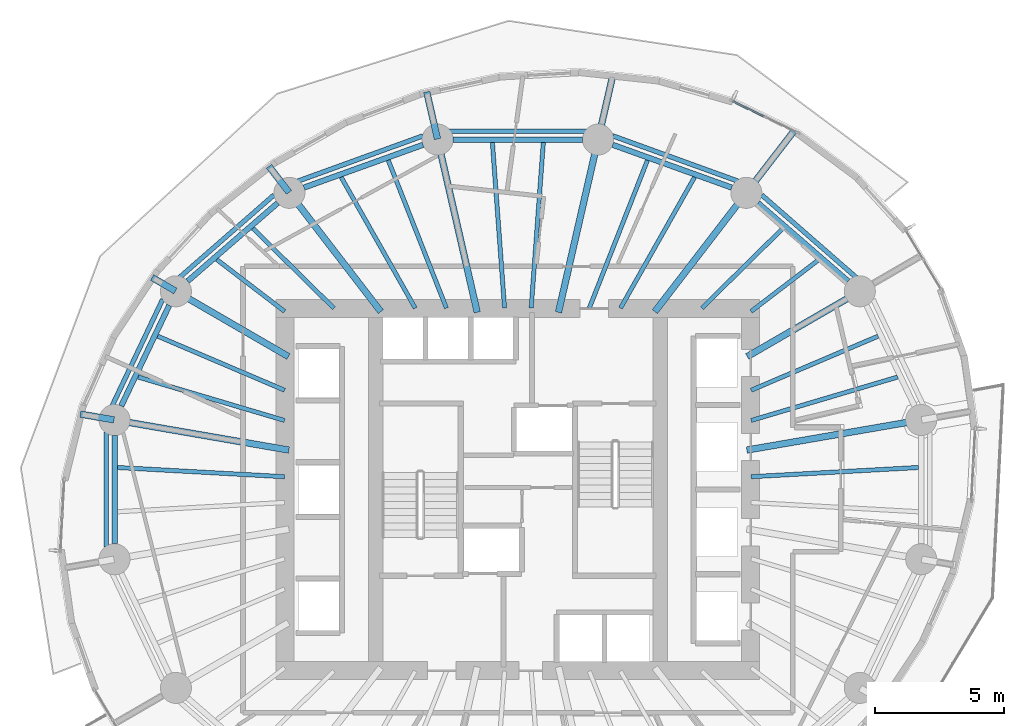
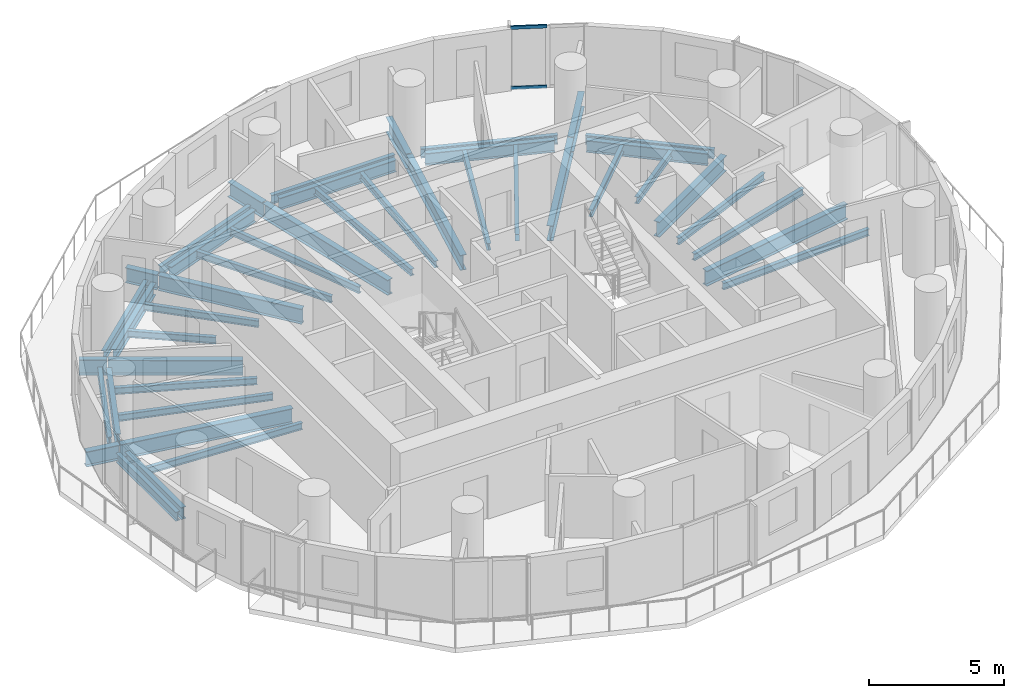
# One storey, part 4 of 15: 44 beams, 2 members, 1 element without a shape of its own.
"""IFC4 building model written with IfcOpenShell, lengths in metres."""

from ifc_helpers import new_model, si_unit, direction, frame, origin, origin_2d, place, context, subcontext, project, spatial, rectangle, i_section, extrude, material, material_profile, profile_set, type_object, element, aggregate, save


model = new_model("IFC4")

# Units and contexts
model_context = context("Model", 3, precision=1e-05, world=origin(), true_north=direction((0.0, 1.0)))
body_context = subcontext(model_context, "Body", "Model", "MODEL_VIEW")
ifc_project = project(units=[si_unit("LENGTHUNIT", "METRE"), si_unit("AREAUNIT", "SQUARE_METRE"), si_unit("VOLUMEUNIT", "CUBIC_METRE"), si_unit("PLANEANGLEUNIT", "RADIAN"), si_unit("MASSUNIT", "GRAM", prefix="KILO")], contexts=[model_context])

# Site, building, storey
site_placement = place(None, origin())
site = spatial("IfcSite", under=ifc_project, at=site_placement, CompositionType="ELEMENT")
building_placement = place(site_placement, origin())
building = spatial("IfcBuilding", under=site, at=building_placement, Name="Veldorim Arch Residences", CompositionType="ELEMENT")
storey_placement = place(building_placement, frame((0.0, 0.0, 109.280029296875)))
storey = spatial("IfcBuildingStorey", under=building, at=storey_placement, Name="L32", CompositionType="ELEMENT", Elevation=109.280029296875)

# Beams
ifc_material_1 = material(Name="Steel S355", Category="steel")
ifc_material_profile_1 = material_profile(ifc_material_1, i_section(OverallWidth=0.2119140625, OverallDepth=0.54443359375, WebThickness=0.0126953125, FlangeThickness=0.021240234375, at=origin_2d()), Name="UB533x210x122")
ifc_profile_set_1 = profile_set([ifc_material_profile_1], Name="Steel S355")
beam_type_1 = type_object("IfcBeamType", Name="Structural Steel Beam UB533x210x122", PredefinedType="BEAM", material=ifc_profile_set_1)
beam_1_placement = place(storey_placement, frame((44.767333984375, 32.060302734375, -0.51220703125), z_axis=(-0.755244952556, 0.655442645576, 0.0), x_axis=(-0.655442645576, -0.755244952556, 0.0)))
element("IfcBeam", 1, at=beam_1_placement, inside=storey, type_object=beam_type_1, Name="L32 perimeter ring tie beam 02", PredefinedType="BEAM", context=body_context, shape_type="SweptSolid", body=[
    extrude(i_section(OverallWidth=0.2119140625, OverallDepth=0.54443359375, WebThickness=0.0126953125, FlangeThickness=0.021240234375, at=origin_2d()), origin(), (0.0, 0.0, 1.0), 4.608642578125),
])
beam_2_placement = place(storey_placement, frame((40.26904296875, 35.67724609375, -0.51220703125), z_axis=(-0.941041944493, 0.338289903343, 0.0), x_axis=(-0.338289903343, -0.941041944493, 0.0)))
element("IfcBeam", 2, at=beam_2_placement, inside=storey, type_object=beam_type_1, Name="L32 perimeter ring tie beam 03", PredefinedType="BEAM", context=body_context, shape_type="SweptSolid", body=[
    extrude(i_section(OverallWidth=0.2119140625, OverallDepth=0.54443359375, WebThickness=0.0126953125, FlangeThickness=0.021240234375, at=origin_2d()), origin(), (0.0, 0.0, 1.0), 4.890869140625),
])
beam_3_placement = place(storey_placement, frame((34.501953125, 37.534912109375, -0.51220703125), z_axis=(-1.0, 0.0, 0.0), x_axis=(0.0, -1.0, 0.0)))
element("IfcBeam", 3, at=beam_3_placement, inside=storey, type_object=beam_type_1, Name="L32 perimeter ring tie beam 04", PredefinedType="BEAM", context=body_context, shape_type="SweptSolid", body=[
    extrude(i_section(OverallWidth=0.2119140625, OverallDepth=0.54443359375, WebThickness=0.0126953125, FlangeThickness=0.021240234375, at=origin_2d()), origin(), (0.0, 0.0, 1.0), 5.00390625),
])
beam_4_placement = place(storey_placement, frame((28.33349609375, 37.331787109375, -0.51220703125), z_axis=(-0.941041944493, -0.338289903343, 0.0), x_axis=(0.338289903343, -0.941041944493, 0.0)))
element("IfcBeam", 4, at=beam_4_placement, inside=storey, type_object=beam_type_1, Name="L32 perimeter ring tie beam 05", PredefinedType="BEAM", context=body_context, shape_type="SweptSolid", body=[
    extrude(i_section(OverallWidth=0.2119140625, OverallDepth=0.54443359375, WebThickness=0.0126953125, FlangeThickness=0.021240234375, at=origin_2d()), origin(), (0.0, 0.0, 1.0), 4.890869140625),
])
beam_5_placement = place(storey_placement, frame((22.71337890625, 35.0810546875, -0.51220703125), z_axis=(-0.755244952556, -0.655442645576, 0.0), x_axis=(0.655442645576, -0.755244952556, 0.0)))
element("IfcBeam", 5, at=beam_5_placement, inside=storey, type_object=beam_type_1, Name="L32 perimeter ring tie beam 06", PredefinedType="BEAM", context=body_context, shape_type="SweptSolid", body=[
    extrude(i_section(OverallWidth=0.2119140625, OverallDepth=0.54443359375, WebThickness=0.0126953125, FlangeThickness=0.021240234375, at=origin_2d()), origin(), (0.0, 0.0, 1.0), 4.608642578125),
])
beam_6_placement = place(storey_placement, frame((18.521240234375, 31.12548828125, -0.51220703125), z_axis=(-0.430720154476, -0.902485539235, 0.0), x_axis=(0.902485539235, -0.430720154476, 0.0)))
element("IfcBeam", 6, at=beam_6_placement, inside=storey, type_object=beam_type_1, Name="L32 perimeter ring tie beam 07", PredefinedType="BEAM", context=body_context, shape_type="SweptSolid", body=[
    extrude(i_section(OverallWidth=0.2119140625, OverallDepth=0.54443359375, WebThickness=0.0126953125, FlangeThickness=0.021240234375, at=origin_2d()), origin(), (0.0, 0.0, 1.0), 4.312255859375),
])
beam_7_placement = place(storey_placement, frame((16.405517578125, 26.09228515625, -0.51220703125), z_axis=(0.0, -1.0, 0.0), x_axis=(1.0, 0.0, 0.0)))
element("IfcBeam", 7, at=beam_7_placement, inside=storey, type_object=beam_type_1, Name="L32 perimeter ring tie beam 08", PredefinedType="BEAM", context=body_context, shape_type="SweptSolid", body=[
    extrude(i_section(OverallWidth=0.2119140625, OverallDepth=0.54443359375, WebThickness=0.0126953125, FlangeThickness=0.021240234375, at=origin_2d()), origin(), (0.0, 0.0, 1.0), 4.1845703125),
])
ifc_material_2 = material(Name="Steel S355", Category="steel")
ifc_material_profile_2 = material_profile(ifc_material_2, i_section(OverallWidth=0.25439453125, OverallDepth=0.6875, WebThickness=0.01318359375, FlangeThickness=0.02099609375, at=origin_2d()), Name="UB686x254x152")
ifc_profile_set_2 = profile_set([ifc_material_profile_2], Name="Steel S355")
beam_type_2 = type_object("IfcBeamType", Name="Structural Steel GIRDER UB686x254x152", PredefinedType="USERDEFINED", material=ifc_profile_set_2)
beam_8_placement = place(storey_placement, frame((40.852294921875, 25.5283203125, -0.583740234375), z_axis=(0.985426622718, 0.17010106184, 0.0), x_axis=(-0.17010106184, 0.985426622718, 0.0)))
element("IfcBeam", 8, at=beam_8_placement, inside=storey, type_object=beam_type_2, Name="L32 radial floor girder 01", ObjectType="GIRDER", PredefinedType="USERDEFINED", context=body_context, shape_type="SweptSolid", body=[
    extrude(i_section(OverallWidth=0.25439453125, OverallDepth=0.6875, WebThickness=0.01318359375, FlangeThickness=0.02099609375, at=origin_2d()), origin(), (0.0, 0.0, 1.0), 6.82177734375),
])
beam_9_placement = place(storey_placement, frame((40.8701171875, 29.14404296875, -0.583740234375), z_axis=(0.865048957682, 0.501687453314, 0.0), x_axis=(-0.501687453314, 0.865048957682, 0.0)))
element("IfcBeam", 9, at=beam_9_placement, inside=storey, type_object=beam_type_2, Name="L32 radial floor girder 02", ObjectType="GIRDER", PredefinedType="USERDEFINED", context=body_context, shape_type="SweptSolid", body=[
    extrude(i_section(OverallWidth=0.25439453125, OverallDepth=0.6875, WebThickness=0.01318359375, FlangeThickness=0.02099609375, at=origin_2d()), origin(), (0.0, 0.0, 1.0), 5.009033203125),
])
beam_10_placement = place(storey_placement, frame((37.297607421875, 30.881103515625, -0.583740234375), z_axis=(0.609994628196, 0.792405548676, 0.0), x_axis=(-0.792405548676, 0.609994628196, 0.0)))
element("IfcBeam", 10, at=beam_10_placement, inside=storey, type_object=beam_type_2, Name="L32 radial floor girder 03", ObjectType="GIRDER", PredefinedType="USERDEFINED", context=body_context, shape_type="SweptSolid", body=[
    extrude(i_section(OverallWidth=0.25439453125, OverallDepth=0.6875, WebThickness=0.01318359375, FlangeThickness=0.02099609375, at=origin_2d()), origin(), (0.0, 0.0, 1.0), 5.776611328125),
])
beam_11_placement = place(storey_placement, frame((40.845703125, 35.489990234375, -0.583740234375), z_axis=(0.610006503027, 0.792396407277, 0.0), x_axis=(-0.792396407277, 0.610006503027, 0.0)))
element("IfcBeam", 11, at=beam_11_placement, inside=storey, type_object=beam_type_2, Name="L32 radial edge cantilever girder 03", ObjectType="GIRDER", PredefinedType="USERDEFINED", context=body_context, shape_type="SweptSolid", body=[
    extrude(i_section(OverallWidth=0.25439453125, OverallDepth=0.6875, WebThickness=0.01318359375, FlangeThickness=0.02099609375, at=origin_2d()), origin(), (0.0, 0.0, 1.0), 2.99169921875),
])
beam_12_placement = place(storey_placement, frame((33.57080078125, 30.853759765625, -0.583740234375), z_axis=(0.223374742148, 0.97473264261, 0.0), x_axis=(-0.97473264261, 0.223374742148, 0.0)))
element("IfcBeam", 12, at=beam_12_placement, inside=storey, type_object=beam_type_2, Name="L32 radial floor girder 04", ObjectType="GIRDER", PredefinedType="USERDEFINED", context=body_context, shape_type="SweptSolid", body=[
    extrude(i_section(OverallWidth=0.25439453125, OverallDepth=0.6875, WebThickness=0.01318359375, FlangeThickness=0.02099609375, at=origin_2d()), origin(), (0.0, 0.0, 1.0), 6.834228515625),
])
beam_13_placement = place(storey_placement, frame((35.1064453125, 37.55419921875, -0.583740234375), z_axis=(0.223351330049, 0.974738007552, 0.0), x_axis=(-0.974738007552, 0.223351330049, 0.0)))
element("IfcBeam", 13, at=beam_13_placement, inside=storey, type_object=beam_type_2, Name="L32 radial edge cantilever girder 04", ObjectType="GIRDER", PredefinedType="USERDEFINED", context=body_context, shape_type="SweptSolid", body=[
    extrude(i_section(OverallWidth=0.25439453125, OverallDepth=0.6875, WebThickness=0.01318359375, FlangeThickness=0.02099609375, at=origin_2d()), origin(), (0.0, 0.0, 1.0), 2.530517578125),
])
beam_14_placement = place(storey_placement, frame((30.42919921875, 30.853759765625, -0.583740234375), z_axis=(-0.223374742148, 0.97473264261, 0.0), x_axis=(-0.97473264261, -0.223374742148, 0.0)))
element("IfcBeam", 14, at=beam_14_placement, inside=storey, type_object=beam_type_2, Name="L32 radial floor girder 05", ObjectType="GIRDER", PredefinedType="USERDEFINED", context=body_context, shape_type="SweptSolid", body=[
    extrude(i_section(OverallWidth=0.25439453125, OverallDepth=0.6875, WebThickness=0.01318359375, FlangeThickness=0.02099609375, at=origin_2d()), origin(), (0.0, 0.0, 1.0), 6.834228515625),
])
beam_15_placement = place(storey_placement, frame((28.8935546875, 37.55419921875, -0.583740234375), z_axis=(-0.22332180692, 0.974744772007, 0.0), x_axis=(-0.974744772007, -0.22332180692, 0.0)))
element("IfcBeam", 15, at=beam_15_placement, inside=storey, type_object=beam_type_2, Name="L32 radial edge cantilever girder 05", ObjectType="GIRDER", PredefinedType="USERDEFINED", context=body_context, shape_type="SweptSolid", body=[
    extrude(i_section(OverallWidth=0.25439453125, OverallDepth=0.6875, WebThickness=0.01318359375, FlangeThickness=0.02099609375, at=origin_2d()), origin(), (0.0, 0.0, 1.0), 1.8671875),
])
beam_16_placement = place(storey_placement, frame((26.702392578125, 30.881103515625, -0.583740234375), z_axis=(-0.609994628196, 0.792405548676, 0.0), x_axis=(-0.792405548676, -0.609994628196, 0.0)))
element("IfcBeam", 16, at=beam_16_placement, inside=storey, type_object=beam_type_2, Name="L32 radial floor girder 06", ObjectType="GIRDER", PredefinedType="USERDEFINED", context=body_context, shape_type="SweptSolid", body=[
    extrude(i_section(OverallWidth=0.25439453125, OverallDepth=0.6875, WebThickness=0.01318359375, FlangeThickness=0.02099609375, at=origin_2d()), origin(), (0.0, 0.0, 1.0), 5.776611328125),
])
beam_17_placement = place(storey_placement, frame((23.154296875, 35.489990234375, -0.583740234375), z_axis=(-0.610026114637, 0.792381309384, 0.0), x_axis=(-0.792381309384, -0.610026114637, 0.0)))
element("IfcBeam", 17, at=beam_17_placement, inside=storey, type_object=beam_type_2, Name="L32 radial edge cantilever girder 06", ObjectType="GIRDER", PredefinedType="USERDEFINED", context=body_context, shape_type="SweptSolid", body=[
    extrude(i_section(OverallWidth=0.25439453125, OverallDepth=0.6875, WebThickness=0.01318359375, FlangeThickness=0.02099609375, at=origin_2d()), origin(), (0.0, 0.0, 1.0), 1.27197265625),
])
beam_18_placement = place(storey_placement, frame((23.1298828125, 29.14404296875, -0.583740234375), z_axis=(-0.865048957682, 0.501687453314, 0.0), x_axis=(-0.501687453314, -0.865048957682, 0.0)))
element("IfcBeam", 18, at=beam_18_placement, inside=storey, type_object=beam_type_2, Name="L32 radial floor girder 07", ObjectType="GIRDER", PredefinedType="USERDEFINED", context=body_context, shape_type="SweptSolid", body=[
    extrude(i_section(OverallWidth=0.25439453125, OverallDepth=0.6875, WebThickness=0.01318359375, FlangeThickness=0.02099609375, at=origin_2d()), origin(), (0.0, 0.0, 1.0), 5.009033203125),
])
beam_19_placement = place(storey_placement, frame((18.76220703125, 31.677001953125, -0.583740234375), z_axis=(-0.865063622803, 0.501662165708, 0.0), x_axis=(-0.501662165708, -0.865063622803, 0.0)))
element("IfcBeam", 19, at=beam_19_placement, inside=storey, type_object=beam_type_2, Name="L32 radial edge cantilever girder 07", ObjectType="GIRDER", PredefinedType="USERDEFINED", context=body_context, shape_type="SweptSolid", body=[
    extrude(i_section(OverallWidth=0.25439453125, OverallDepth=0.6875, WebThickness=0.01318359375, FlangeThickness=0.02099609375, at=origin_2d()), origin(), (0.0, 0.0, 1.0), 1.04541015625),
])
beam_20_placement = place(storey_placement, frame((23.147705078125, 25.5283203125, -0.583740234375), z_axis=(-0.985426622718, 0.17010106184, 0.0), x_axis=(-0.17010106184, -0.985426622718, 0.0)))
element("IfcBeam", 20, at=beam_20_placement, inside=storey, type_object=beam_type_2, Name="L32 radial floor girder 08", ObjectType="GIRDER", PredefinedType="USERDEFINED", context=body_context, shape_type="SweptSolid", body=[
    extrude(i_section(OverallWidth=0.25439453125, OverallDepth=0.6875, WebThickness=0.01318359375, FlangeThickness=0.02099609375, at=origin_2d()), origin(), (0.0, 0.0, 1.0), 6.82177734375),
])
beam_21_placement = place(storey_placement, frame((16.3857421875, 26.695556640625, -0.583740234375), z_axis=(-0.985414257331, 0.170172681262, 0.0), x_axis=(-0.170172681262, -0.985414257331, 0.0)))
element("IfcBeam", 21, at=beam_21_placement, inside=storey, type_object=beam_type_2, Name="L32 radial edge cantilever girder 08", ObjectType="GIRDER", PredefinedType="USERDEFINED", context=body_context, shape_type="SweptSolid", body=[
    extrude(i_section(OverallWidth=0.25439453125, OverallDepth=0.6875, WebThickness=0.01318359375, FlangeThickness=0.02099609375, at=origin_2d()), origin(), (0.0, 0.0, 1.0), 1.32275390625),
])
ifc_material_3 = material(Name="Steel S355", Category="steel")
ifc_material_profile_3 = material_profile(ifc_material_3, i_section(OverallWidth=0.165771484375, OverallDepth=0.306640625, WebThickness=0.006591796875, FlangeThickness=0.01171875, at=origin_2d()), Name="UB305x165x46")
ifc_profile_set_3 = profile_set([ifc_material_profile_3], Name="Steel S355")
beam_type_3 = type_object("IfcBeamType", Name="Structural Steel Joist UB305x165x46", PredefinedType="JOIST", material=ifc_profile_set_3)
beam_22_placement = place(storey_placement, frame((41.019287109375, 26.673583984375, -0.393310546875), z_axis=(0.958753061488, 0.284240333324, 0.0), x_axis=(-0.284240333324, 0.958753061488, 0.0)))
element("IfcBeam", 22, at=beam_22_placement, inside=storey, type_object=beam_type_3, Name="L32 secondary radial floor joist 01-1", PredefinedType="JOIST", context=body_context, shape_type="SweptSolid", body=[
    extrude(i_section(OverallWidth=0.165771484375, OverallDepth=0.306640625, WebThickness=0.006591796875, FlangeThickness=0.01171875, at=origin_2d()), origin(), (0.0, 0.0, 1.0), 5.906005859375),
])
beam_23_placement = place(storey_placement, frame((41.018310546875, 27.841552734375, -0.393310546875), z_axis=(0.919997395122, 0.391924473552, 0.0), x_axis=(-0.391924473552, 0.919997395122, 0.0)))
element("IfcBeam", 23, at=beam_23_placement, inside=storey, type_object=beam_type_3, Name="L32 secondary radial floor joist 01-2", PredefinedType="JOIST", context=body_context, shape_type="SweptSolid", body=[
    extrude(i_section(OverallWidth=0.165771484375, OverallDepth=0.306640625, WebThickness=0.006591796875, FlangeThickness=0.01171875, at=origin_2d()), origin(), (0.0, 0.0, 1.0), 5.334716796875),
])
beam_24_placement = place(storey_placement, frame((41.015869140625, 30.888427734375, -0.393310546875), z_axis=(0.794594763594, 0.60714014994, 0.0), x_axis=(-0.60714014994, 0.794594763594, 0.0)))
element("IfcBeam", 24, at=beam_24_placement, inside=storey, type_object=beam_type_3, Name="L32 secondary radial floor joist 02-1", PredefinedType="JOIST", context=body_context, shape_type="SweptSolid", body=[
    extrude(i_section(OverallWidth=0.165771484375, OverallDepth=0.306640625, WebThickness=0.006591796875, FlangeThickness=0.01171875, at=origin_2d()), origin(), (0.0, 0.0, 1.0), 3.30419921875),
])
beam_25_placement = place(storey_placement, frame((39.114013671875, 31.013916015625, -0.393310546875), z_axis=(0.712111629941, 0.702066255066, 0.0), x_axis=(-0.702066255066, 0.712111629941, 0.0)))
element("IfcBeam", 25, at=beam_25_placement, inside=storey, type_object=beam_type_3, Name="L32 secondary radial floor joist 02-2", PredefinedType="JOIST", context=body_context, shape_type="SweptSolid", body=[
    extrude(i_section(OverallWidth=0.165771484375, OverallDepth=0.306640625, WebThickness=0.006591796875, FlangeThickness=0.01171875, at=origin_2d()), origin(), (0.0, 0.0, 1.0), 4.39892578125),
])
beam_26_placement = place(storey_placement, frame((35.96826171875, 31.017333984375, -0.393310546875), z_axis=(0.492227411199, 0.870466642476, 0.0), x_axis=(-0.870466642476, 0.492227411199, 0.0)))
element("IfcBeam", 26, at=beam_26_placement, inside=storey, type_object=beam_type_3, Name="L32 secondary radial floor joist 03-1", PredefinedType="JOIST", context=body_context, shape_type="SweptSolid", body=[
    extrude(i_section(OverallWidth=0.165771484375, OverallDepth=0.306640625, WebThickness=0.006591796875, FlangeThickness=0.01171875, at=origin_2d()), origin(), (0.0, 0.0, 1.0), 5.81494140625),
])
beam_27_placement = place(storey_placement, frame((34.761962890625, 31.0185546875, -0.393310546875), z_axis=(0.366194870364, 0.930538186707, 0.0), x_axis=(-0.930538186707, 0.366194870364, 0.0)))
element("IfcBeam", 27, at=beam_27_placement, inside=storey, type_object=beam_type_3, Name="L32 secondary radial floor joist 03-2", PredefinedType="JOIST", context=body_context, shape_type="SweptSolid", body=[
    extrude(i_section(OverallWidth=0.165771484375, OverallDepth=0.306640625, WebThickness=0.006591796875, FlangeThickness=0.01171875, at=origin_2d()), origin(), (0.0, 0.0, 1.0), 6.1396484375),
])
for number, where, z_axis, x_axis, name in (
    (28, (32.514892578125, 31.02001953125, -0.393310546875), (0.073143494169, 0.997321427254, 0.0), (-0.997321427254, 0.073143494169, 0.0), "L32 secondary radial floor joist 04-1"),
    (29, (31.485107421875, 31.02001953125, -0.393310546875), (-0.073143494169, 0.997321427254, 0.0), (-0.997321427254, -0.073143494169, 0.0), "L32 secondary radial floor joist 04-2"),
):
    element("IfcBeam", number, at=place(storey_placement, frame(where, z_axis=z_axis, x_axis=x_axis)), inside=storey, type_object=beam_type_3, Name=name, PredefinedType="JOIST", context=body_context, shape_type="SweptSolid", body=[
        extrude(i_section(OverallWidth=0.165771484375, OverallDepth=0.306640625, WebThickness=0.006591796875, FlangeThickness=0.01171875, at=origin_2d()), origin(), (0.0, 0.0, 1.0), 6.421875),
    ])
beam_28_placement = place(storey_placement, frame((29.238037109375, 31.0185546875, -0.393310546875), z_axis=(-0.366194870364, 0.930538186707, 0.0), x_axis=(-0.930538186707, -0.366194870364, 0.0)))
element("IfcBeam", 30, at=beam_28_placement, inside=storey, type_object=beam_type_3, Name="L32 secondary radial floor joist 05-1", PredefinedType="JOIST", context=body_context, shape_type="SweptSolid", body=[
    extrude(i_section(OverallWidth=0.165771484375, OverallDepth=0.306640625, WebThickness=0.006591796875, FlangeThickness=0.01171875, at=origin_2d()), origin(), (0.0, 0.0, 1.0), 6.1396484375),
])
beam_29_placement = place(storey_placement, frame((28.03173828125, 31.017333984375, -0.393310546875), z_axis=(-0.492227411199, 0.870466642476, 0.0), x_axis=(-0.870466642476, -0.492227411199, 0.0)))
element("IfcBeam", 31, at=beam_29_placement, inside=storey, type_object=beam_type_3, Name="L32 secondary radial floor joist 05-2", PredefinedType="JOIST", context=body_context, shape_type="SweptSolid", body=[
    extrude(i_section(OverallWidth=0.165771484375, OverallDepth=0.306640625, WebThickness=0.006591796875, FlangeThickness=0.01171875, at=origin_2d()), origin(), (0.0, 0.0, 1.0), 5.81494140625),
])
beam_30_placement = place(storey_placement, frame((24.885986328125, 31.013916015625, -0.393310546875), z_axis=(-0.712111629941, 0.702066255066, 0.0), x_axis=(-0.702066255066, -0.712111629941, 0.0)))
element("IfcBeam", 32, at=beam_30_placement, inside=storey, type_object=beam_type_3, Name="L32 secondary radial floor joist 06-1", PredefinedType="JOIST", context=body_context, shape_type="SweptSolid", body=[
    extrude(i_section(OverallWidth=0.165771484375, OverallDepth=0.306640625, WebThickness=0.006591796875, FlangeThickness=0.01171875, at=origin_2d()), origin(), (0.0, 0.0, 1.0), 4.39892578125),
])
beam_31_placement = place(storey_placement, frame((22.984130859375, 30.888427734375, -0.393310546875), z_axis=(-0.794594763594, 0.60714014994, 0.0), x_axis=(-0.60714014994, -0.794594763594, 0.0)))
element("IfcBeam", 33, at=beam_31_placement, inside=storey, type_object=beam_type_3, Name="L32 secondary radial floor joist 06-2", PredefinedType="JOIST", context=body_context, shape_type="SweptSolid", body=[
    extrude(i_section(OverallWidth=0.165771484375, OverallDepth=0.306640625, WebThickness=0.006591796875, FlangeThickness=0.01171875, at=origin_2d()), origin(), (0.0, 0.0, 1.0), 3.30419921875),
])
beam_32_placement = place(storey_placement, frame((22.981689453125, 27.841552734375, -0.393310546875), z_axis=(-0.919997395122, 0.391924473552, 0.0), x_axis=(-0.391924473552, -0.919997395122, 0.0)))
element("IfcBeam", 34, at=beam_32_placement, inside=storey, type_object=beam_type_3, Name="L32 secondary radial floor joist 07-1", PredefinedType="JOIST", context=body_context, shape_type="SweptSolid", body=[
    extrude(i_section(OverallWidth=0.165771484375, OverallDepth=0.306640625, WebThickness=0.006591796875, FlangeThickness=0.01171875, at=origin_2d()), origin(), (0.0, 0.0, 1.0), 5.334716796875),
])
beam_33_placement = place(storey_placement, frame((22.980712890625, 26.673583984375, -0.393310546875), z_axis=(-0.958753061488, 0.284240333324, 0.0), x_axis=(-0.284240333324, -0.958753061488, 0.0)))
element("IfcBeam", 35, at=beam_33_placement, inside=storey, type_object=beam_type_3, Name="L32 secondary radial floor joist 07-2", PredefinedType="JOIST", context=body_context, shape_type="SweptSolid", body=[
    extrude(i_section(OverallWidth=0.165771484375, OverallDepth=0.306640625, WebThickness=0.006591796875, FlangeThickness=0.01171875, at=origin_2d()), origin(), (0.0, 0.0, 1.0), 5.906005859375),
])
for number, where, z_axis, x_axis, name in (
    (36, (22.97998046875, 24.498291015625, -0.393310546875), (-0.99847713097, 0.055167190702, 0.0), (-0.055167190702, -0.99847713097, 0.0), "L32 secondary radial floor joist 08-1"),
    (37, (41.02001953125, 24.498291015625, -0.393310546875), (0.99847713097, 0.055167190702, 0.0), (-0.055167190702, 0.99847713097, 0.0), "L32 secondary radial floor joist 16-2"),
):
    element("IfcBeam", number, at=place(storey_placement, frame(where, z_axis=z_axis, x_axis=x_axis)), inside=storey, type_object=beam_type_3, Name=name, PredefinedType="JOIST", context=body_context, shape_type="SweptSolid", body=[
        extrude(i_section(OverallWidth=0.165771484375, OverallDepth=0.306640625, WebThickness=0.006591796875, FlangeThickness=0.01171875, at=origin_2d()), origin(), (0.0, 0.0, 1.0), 6.474365234375),
    ])
ifc_material_4 = material(Name="Steel S355", Category="steel")
ifc_material_profile_4 = material_profile(ifc_material_4, i_section(OverallWidth=0.1787109375, OverallDepth=0.409423828125, WebThickness=0.0087890625, FlangeThickness=0.014404296875, at=origin_2d()), Name="UB406x178x67")
ifc_profile_set_4 = profile_set([ifc_material_profile_4], Name="Steel S355")
beam_type_4 = type_object("IfcBeamType", Name="Structural Steel Spandrel UB406x178x67", PredefinedType="SPANDREL", material=ifc_profile_set_4)
beam_34_placement = place(storey_placement, frame((45.108154296875, 32.1796875, -0.46484375), z_axis=(-0.753323239074, 0.65765043714, 0.0), x_axis=(-0.65765043714, -0.753323239074, 0.0)))
element("IfcBeam", 38, at=beam_34_placement, inside=storey, type_object=beam_type_4, Name="L32 perimeter chord spandrel beam 02", PredefinedType="SPANDREL", context=body_context, shape_type="SweptSolid", body=[
    extrude(i_section(OverallWidth=0.1787109375, OverallDepth=0.409423828125, WebThickness=0.0087890625, FlangeThickness=0.014404296875, at=origin_2d()), origin(), (0.0, 0.0, 1.0), 4.879150390625),
])
beam_35_placement = place(storey_placement, frame((40.538330078125, 35.91552734375, -0.46484375), z_axis=(-0.940307501418, 0.340326024244, 0.0), x_axis=(-0.340326024244, -0.940307501418, 0.0)))
element("IfcBeam", 39, at=beam_35_placement, inside=storey, type_object=beam_type_4, Name="L32 perimeter chord spandrel beam 03", PredefinedType="SPANDREL", context=body_context, shape_type="SweptSolid", body=[
    extrude(i_section(OverallWidth=0.1787109375, OverallDepth=0.409423828125, WebThickness=0.0087890625, FlangeThickness=0.014404296875, at=origin_2d()), origin(), (0.0, 0.0, 1.0), 5.175048828125),
])
beam_36_placement = place(storey_placement, frame((34.647705078125, 37.8564453125, -0.46484375), z_axis=(-1.0, 0.0, 0.0), x_axis=(0.0, -1.0, 0.0)))
element("IfcBeam", 40, at=beam_36_placement, inside=storey, type_object=beam_type_4, Name="L32 perimeter chord spandrel beam 04", PredefinedType="SPANDREL", context=body_context, shape_type="SweptSolid", body=[
    extrude(i_section(OverallWidth=0.1787109375, OverallDepth=0.409423828125, WebThickness=0.0087890625, FlangeThickness=0.014404296875, at=origin_2d()), origin(), (0.0, 0.0, 1.0), 5.29541015625),
])
beam_37_placement = place(storey_placement, frame((28.327880859375, 37.6767578125, -0.46484375), z_axis=(-0.940307501418, -0.340326024244, 0.0), x_axis=(0.340326024244, -0.940307501418, 0.0)))
element("IfcBeam", 41, at=beam_37_placement, inside=storey, type_object=beam_type_4, Name="L32 perimeter chord spandrel beam 05", PredefinedType="SPANDREL", context=body_context, shape_type="SweptSolid", body=[
    extrude(i_section(OverallWidth=0.1787109375, OverallDepth=0.409423828125, WebThickness=0.0087890625, FlangeThickness=0.014404296875, at=origin_2d()), origin(), (0.0, 0.0, 1.0), 5.175048828125),
])
beam_38_placement = place(storey_placement, frame((22.5673828125, 35.388427734375, -0.46484375), z_axis=(-0.753323239074, -0.65765043714, 0.0), x_axis=(0.65765043714, -0.753323239074, 0.0)))
element("IfcBeam", 42, at=beam_38_placement, inside=storey, type_object=beam_type_4, Name="L32 perimeter chord spandrel beam 06", PredefinedType="SPANDREL", context=body_context, shape_type="SweptSolid", body=[
    extrude(i_section(OverallWidth=0.1787109375, OverallDepth=0.409423828125, WebThickness=0.0087890625, FlangeThickness=0.014404296875, at=origin_2d()), origin(), (0.0, 0.0, 1.0), 4.879150390625),
])
beam_39_placement = place(storey_placement, frame((18.267578125, 31.35546875, -0.46484375), z_axis=(-0.428857472204, -0.903372165021, 0.0), x_axis=(0.903372165021, -0.428857472204, 0.0)))
element("IfcBeam", 43, at=beam_39_placement, inside=storey, type_object=beam_type_4, Name="L32 perimeter chord spandrel beam 07", PredefinedType="SPANDREL", context=body_context, shape_type="SweptSolid", body=[
    extrude(i_section(OverallWidth=0.1787109375, OverallDepth=0.409423828125, WebThickness=0.0087890625, FlangeThickness=0.014404296875, at=origin_2d()), origin(), (0.0, 0.0, 1.0), 4.572021484375),
])
beam_40_placement = place(storey_placement, frame((16.080322265625, 26.22021484375, -0.46484375), z_axis=(0.0, -1.0, 0.0), x_axis=(1.0, 0.0, 0.0)))
element("IfcBeam", 44, at=beam_40_placement, inside=storey, type_object=beam_type_4, Name="L32 perimeter chord spandrel beam 08", PredefinedType="SPANDREL", context=body_context, shape_type="SweptSolid", body=[
    extrude(i_section(OverallWidth=0.1787109375, OverallDepth=0.409423828125, WebThickness=0.0087890625, FlangeThickness=0.014404296875, at=origin_2d()), origin(), (0.0, 0.0, 1.0), 4.4404296875),
])

# Curtain wall, members
ifc_material_5 = material(Name="Aluminium", Category="aluminium")
curtain_wall_type = type_object("IfcCurtainWallType", Name="Zone 2 Solar-Control Unitised Curtain Wall", PredefinedType="NOTDEFINED", material=ifc_material_5)
curtain_wall_placement = place(storey_placement, origin())
curtain_wall = element("IfcCurtainWall", 45, at=curtain_wall_placement, inside=storey, type_object=curtain_wall_type, Name="L32 unitised curtain wall bay 04", PredefinedType="NOTDEFINED")
ifc_material_6 = material(Name="Aluminium", Category="aluminium")
ifc_material_profile_5 = material_profile(ifc_material_6, rectangle(XDim=0.06494140625, YDim=0.14501953125, at=origin_2d()), Name="ALU_TRN_65x145")
ifc_profile_set_5 = profile_set([ifc_material_profile_5], Name="Aluminium")
member_type = type_object("IfcMemberType", Name="Zone 2 Solar-Control Unitised Curtain Wall Transom 65x145", PredefinedType="USERDEFINED", material=ifc_profile_set_5)
member_1_placement = place(storey_placement, frame((40.31005859375, 39.016357421875, 0.032470703125), z_axis=(0.899427024625, -0.437070963774, 0.0), x_axis=(0.437070963774, 0.899427024625, 0.0)))
member_1 = element("IfcMember", 46, at=member_1_placement, type_object=member_type, Name="CW-Z2 transom 1.1", ObjectType="TRANSOM", PredefinedType="USERDEFINED", context=body_context, shape_type="SweptSolid", body=[
    extrude(rectangle(XDim=0.06494140625, YDim=0.14501953125, at=origin_2d()), origin(), (0.0, 0.0, 1.0), 1.351806640625),
])
member_2_placement = place(storey_placement, frame((40.31005859375, 39.016357421875, 2.767578125), z_axis=(0.899427024625, -0.437070963774, 0.0), x_axis=(0.437070963774, 0.899427024625, 0.0)))
member_2 = element("IfcMember", 47, at=member_2_placement, type_object=member_type, Name="CW-Z2 transom 1.2", ObjectType="TRANSOM", PredefinedType="USERDEFINED", context=body_context, shape_type="SweptSolid", body=[
    extrude(rectangle(XDim=0.06494140625, YDim=0.14501953125, at=origin_2d()), origin(), (0.0, 0.0, 1.0), 1.351806640625),
])
aggregate(curtain_wall, [member_1, member_2])

save(model, "model.ifc")
